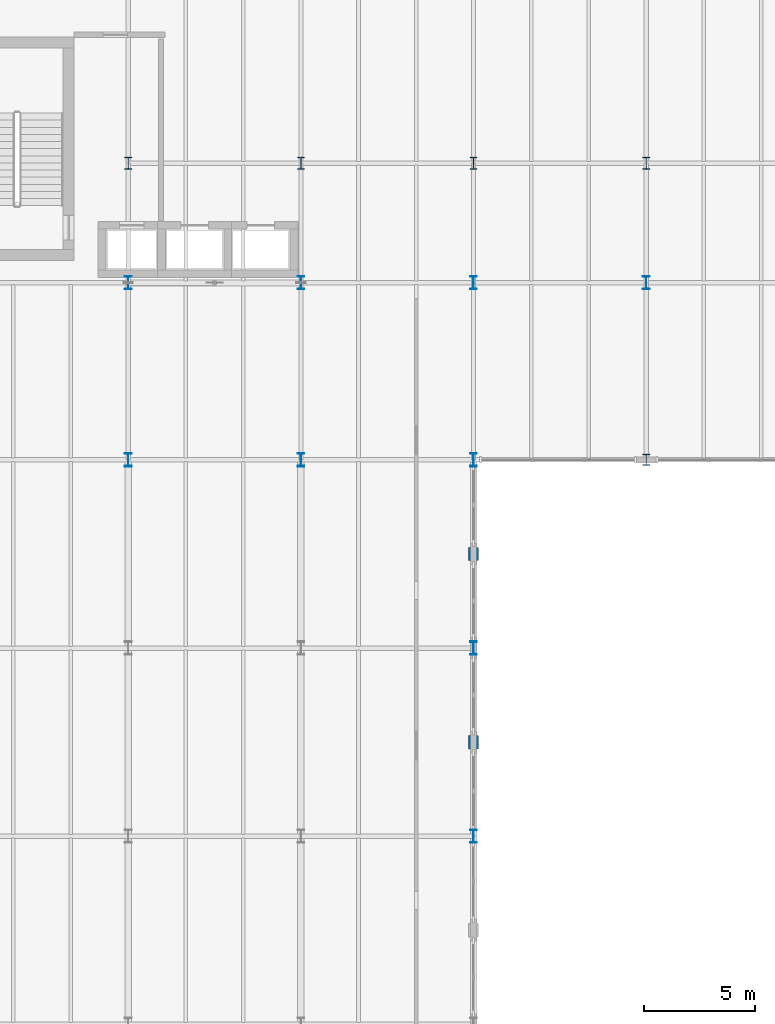
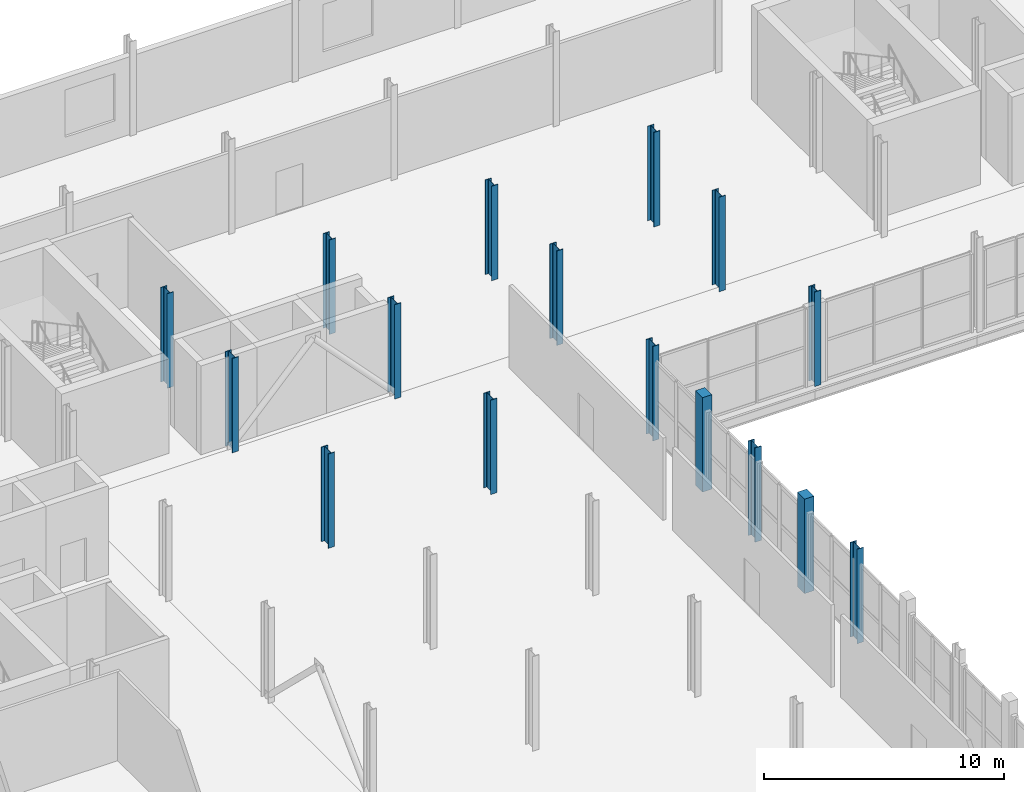
# One storey, part 7 of 63: 16 columns.
"""IFC4 building model written with IfcOpenShell, lengths in metres."""

from ifc_helpers import new_model, si_unit, direction, frame, origin, origin_2d, place, context, subcontext, project, spatial, rectangle, i_section, extrude, material, material_profile, profile_set, type_object, element, save


model = new_model("IFC4")

# Units and contexts
model_context = context("Model", 3, precision=1e-05, world=origin(), true_north=direction((0.0, 1.0)))
body_context = subcontext(model_context, "Body", "Model", "MODEL_VIEW")
ifc_project = project(units=[si_unit("LENGTHUNIT", "METRE"), si_unit("AREAUNIT", "SQUARE_METRE"), si_unit("VOLUMEUNIT", "CUBIC_METRE"), si_unit("PLANEANGLEUNIT", "RADIAN"), si_unit("MASSUNIT", "GRAM", prefix="KILO")], contexts=[model_context])

# Site, building, storey
site_placement = place(None, origin())
site = spatial("IfcSite", under=ifc_project, at=site_placement, CompositionType="ELEMENT")
building_placement = place(site_placement, origin())
building = spatial("IfcBuilding", under=site, at=building_placement, Name="Sefraquen Railside Congress Hotel", CompositionType="ELEMENT")
storey_placement = place(building_placement, frame((0.0, 0.0, 11.39990234375)))
storey = spatial("IfcBuildingStorey", under=building, at=storey_placement, Name="L02", CompositionType="ELEMENT", Elevation=11.39990234375)

# Columns
ifc_material_1 = material(Name="Steel S355JR", Category="steel")
ifc_material_profile_1 = material_profile(ifc_material_1, i_section(OverallWidth=0.300048828125, OverallDepth=0.5, WebThickness=0.014404296875, FlangeThickness=0.028076171875, FilletRadius=0.027099609375, at=origin_2d()), Name="HEB 500")
ifc_profile_set_1 = profile_set([ifc_material_profile_1], Name="Steel S355JR")
column_type_1 = type_object("IfcColumnType", Name="TC-HEB-500", PredefinedType="COLUMN", material=ifc_profile_set_1)
column_placement = place(storey_placement, frame((56.39990234375, 88.0, 0.0), z_axis=(0.0, 0.0, 1.0), x_axis=(1.0, 0.0, 0.0)))
element("IfcColumn", 1, at=column_placement, inside=storey, type_object=column_type_1, Name="Structural column 8-L L02", PredefinedType="COLUMN", context=body_context, shape_type="SweptSolid", body=[
    extrude(i_section(OverallWidth=0.300048828125, OverallDepth=0.5, WebThickness=0.014404296875, FlangeThickness=0.028076171875, FilletRadius=0.027099609375, at=origin_2d()), origin(), (0.0, 0.0, 1.0), 4.800048828125),
])
ifc_material_profile_2 = material_profile(ifc_material_1, i_section(OverallWidth=0.300048828125, OverallDepth=0.550048828125, WebThickness=0.014892578125, FlangeThickness=0.029052734375, FilletRadius=0.027099609375, at=origin_2d()), Name="HEB 550")
ifc_profile_set_2 = profile_set([ifc_material_profile_2], Name="Steel S355JR")
column_type_2 = type_object("IfcColumnType", Name="TC-HEB-550", PredefinedType="COLUMN", material=ifc_profile_set_2)
for number, where, z_axis, x_axis, name in (
    (2, (33.0, 101.39990234375, 0.0), (0.0, 0.0, 1.0), (1.0, 0.0, 0.0), "Structural column 5-N L02"),
    (3, (40.800048828125, 101.39990234375, 0.0), (0.0, 0.0, 1.0), (1.0, 0.0, 0.0), "Structural column 6-N L02"),
    (4, (48.60009765625, 101.39990234375, 0.0), (0.0, 0.0, 1.0), (1.0, 0.0, 0.0), "Structural column 7-N L02"),
    (5, (56.39990234375, 101.39990234375, 0.0), (0.0, 0.0, 1.0), (1.0, 0.0, 0.0), "Structural column 8-N L02"),
):
    element("IfcColumn", number, at=place(storey_placement, frame(where, z_axis=z_axis, x_axis=x_axis)), inside=storey, type_object=column_type_2, Name=name, PredefinedType="COLUMN", context=body_context, shape_type="SweptSolid", body=[
        extrude(i_section(OverallWidth=0.300048828125, OverallDepth=0.550048828125, WebThickness=0.014892578125, FlangeThickness=0.029052734375, FilletRadius=0.027099609375, at=origin_2d()), origin(), (0.0, 0.0, 1.0), 4.800048828125),
    ])
ifc_material_profile_3 = material_profile(ifc_material_1, i_section(OverallWidth=0.300048828125, OverallDepth=0.60009765625, WebThickness=0.015380859375, FlangeThickness=0.030029296875, FilletRadius=0.027099609375, at=origin_2d()), Name="HEB 600")
ifc_profile_set_3 = profile_set([ifc_material_profile_3], Name="Steel S355JR")
column_type_3 = type_object("IfcColumnType", Name="TC-HEB-600", PredefinedType="COLUMN", material=ifc_profile_set_3)
for number, where, z_axis, x_axis, name in (
    (6, (33.0, 96.0, 0.0), (0.0, 0.0, 1.0), (1.0, 0.0, 0.0), "Structural column 5-M L02"),
    (7, (40.800048828125, 96.0, 0.0), (0.0, 0.0, 1.0), (1.0, 0.0, 0.0), "Structural column 6-M L02"),
    (8, (48.60009765625, 96.0, 0.0), (0.0, 0.0, 1.0), (1.0, 0.0, 0.0), "Structural column 7-M L02"),
    (9, (56.39990234375, 96.0, 0.0), (0.0, 0.0, 1.0), (1.0, 0.0, 0.0), "Structural column 8-M L02"),
    (10, (33.0, 88.0, 0.0), (0.0, 0.0, 1.0), (1.0, 0.0, 0.0), "Structural column 5-L L02"),
    (11, (40.800048828125, 88.0, 0.0), (0.0, 0.0, 1.0), (1.0, 0.0, 0.0), "Structural column 6-L L02"),
    (12, (48.60009765625, 71.0, 0.0), (0.0, 0.0, 1.0), (1.0, 0.0, 0.0), "Structural column 7-J L02"),
    (13, (48.60009765625, 79.5, 0.0), (0.0, 0.0, 1.0), (1.0, 0.0, 0.0), "Structural column 7-K L02"),
    (14, (48.60009765625, 88.0, 0.0), (0.0, 0.0, 1.0), (1.0, 0.0, 0.0), "Structural column 7-L L02"),
):
    element("IfcColumn", number, at=place(storey_placement, frame(where, z_axis=z_axis, x_axis=x_axis)), inside=storey, type_object=column_type_3, Name=name, PredefinedType="COLUMN", context=body_context, shape_type="SweptSolid", body=[
        extrude(i_section(OverallWidth=0.300048828125, OverallDepth=0.60009765625, WebThickness=0.015380859375, FlangeThickness=0.030029296875, FilletRadius=0.027099609375, at=origin_2d()), origin(), (0.0, 0.0, 1.0), 4.800048828125),
    ])
ifc_material_2 = material(Name="Concrete C50/60", Category="concrete")
ifc_material_profile_4 = material_profile(ifc_material_2, rectangle(XDim=0.449951171875, YDim=0.60009765625, at=origin_2d()), Name="RC 600x450")
ifc_profile_set_4 = profile_set([ifc_material_profile_4], Name="Concrete C50/60")
column_type_4 = type_object("IfcColumnType", Name="TC-PIL-600", PredefinedType="PILASTER", material=ifc_profile_set_4)
for number, where, z_axis, x_axis, name in (
    (15, (48.60009765625, 75.25, 0.0), (0.0, 0.0, 1.0), (1.0, 0.0, 0.0), "Courtyard limestone pilaster CPIL-W3 L02"),
    (16, (48.60009765625, 83.75, 0.0), (0.0, 0.0, 1.0), (1.0, 0.0, 0.0), "Courtyard limestone pilaster CPIL-W4 L02"),
):
    element("IfcColumn", number, at=place(storey_placement, frame(where, z_axis=z_axis, x_axis=x_axis)), inside=storey, type_object=column_type_4, Name=name, PredefinedType="PILASTER", context=body_context, shape_type="SweptSolid", body=[
        extrude(rectangle(XDim=0.449951171875, YDim=0.60009765625, at=origin_2d()), origin(), (0.0, 0.0, 1.0), 4.800048828125),
    ])

save(model, "model.ifc")
